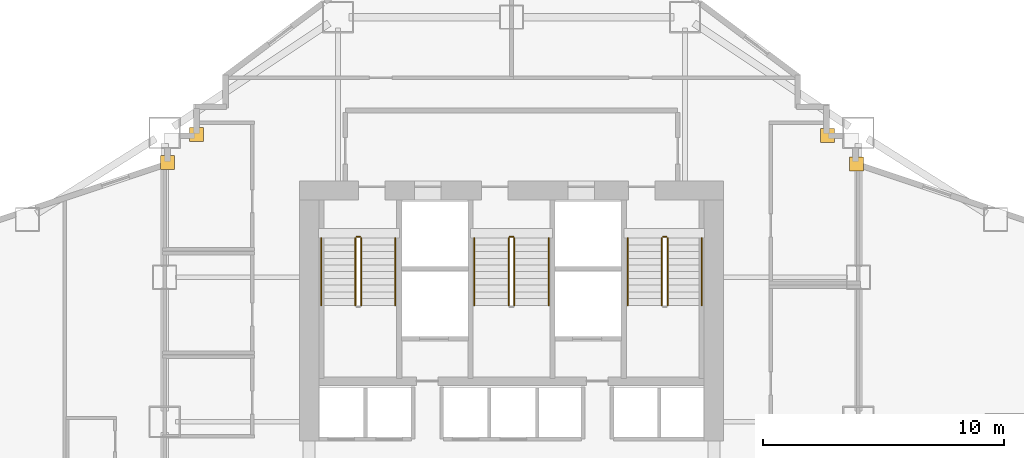
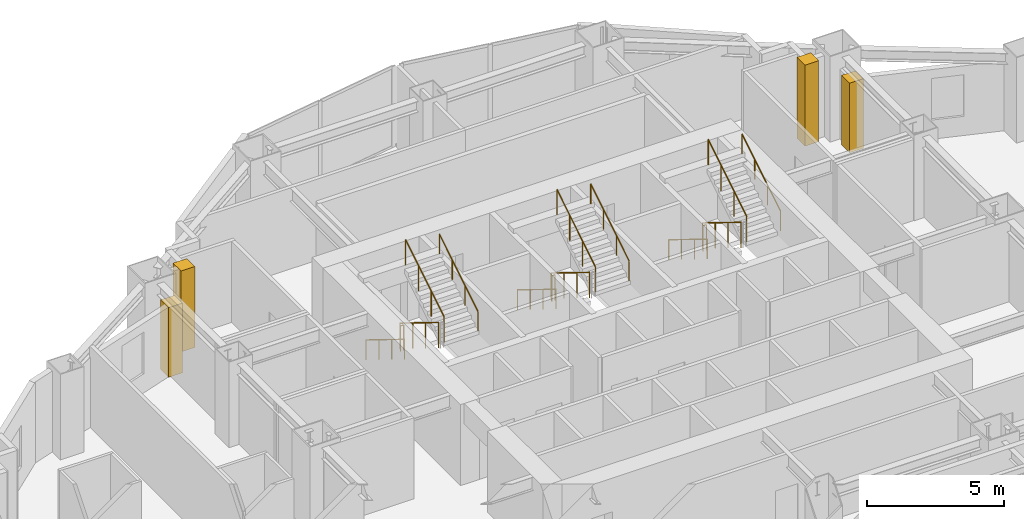
# One storey, part 16 of 17: 15 railings, 4 coverings.
"""IFC4 building model written with IfcOpenShell, lengths in metres."""

from ifc_helpers import new_model, si_unit, direction, frame, origin, origin_2d, place, context, subcontext, project, spatial, rectangle, circle, extrude, material, layer, layer_set, type_object, element, save


model = new_model("IFC4")

# Units and contexts
model_context = context("Model", 3, precision=1e-05, world=origin(), true_north=direction((0.0, 1.0)))
body_context = subcontext(model_context, "Body", "Model", "MODEL_VIEW")
ifc_project = project(units=[si_unit("LENGTHUNIT", "METRE"), si_unit("AREAUNIT", "SQUARE_METRE"), si_unit("VOLUMEUNIT", "CUBIC_METRE"), si_unit("PLANEANGLEUNIT", "RADIAN"), si_unit("MASSUNIT", "GRAM", prefix="KILO")], contexts=[model_context])

# Site, building, storey
site_placement = place(None, origin())
site = spatial("IfcSite", under=ifc_project, at=site_placement, CompositionType="ELEMENT")
building_placement = place(site_placement, origin())
building = spatial("IfcBuilding", under=site, at=building_placement, Name="Haolan Belvedere Tower", CompositionType="ELEMENT")
storey_placement = place(building_placement, frame((0.0, 0.0, 31.60009765625)))
storey = spatial("IfcBuildingStorey", under=building, at=storey_placement, Name="L07", CompositionType="ELEMENT", Elevation=31.60009765625)

# Coverings
ifc_material_1 = material(Name="Pale champagne-silver anodised aluminium rainscreen cladding", Category="aluminium")
ifc_layer = layer(ifc_material_1, 0.034912109375, Name="Pale champagne-silver anodised aluminium rainscreen cladding")
ifc_layer_set = layer_set([ifc_layer], Name="Pale champagne-silver anodised aluminium rainscreen cladding")
covering_type = type_object("IfcCoveringType", Name="COV-CLAD-35", PredefinedType="CLADDING", material=ifc_layer_set)
covering_1_placement = place(storey_placement, frame((52.72021484375, 44.300048828125, 0.0), z_axis=(0.0, 0.0, 1.0), x_axis=(1.0, 0.0, 0.0)))
element("IfcCovering", 1, at=covering_1_placement, inside=storey, type_object=covering_type, Name="L07 pale-metal serrated corner cladding trim 9", PredefinedType="CLADDING", context=body_context, shape_type="SweptSolid", body=[
    extrude(rectangle(XDim=0.580078125, YDim=0.580078125, at=origin_2d()), origin(), (0.0, 0.0, 1.0), 3.096923828125),
])
for number, where, z_axis, x_axis, name in (
    (2, (51.5224609375, 45.47998046875, -0.000244140625), (0.0, 0.0, 1.0), (1.0, 0.0, 0.0), "L07 pale-metal serrated corner cladding trim 10"),
    (3, (25.320068359375, 45.5224609375, -0.000244140625), (0.0, 0.0, 1.0), (1.0, 0.0, 0.0), "L07 pale-metal serrated corner cladding trim 11"),
):
    element("IfcCovering", number, at=place(storey_placement, frame(where, z_axis=z_axis, x_axis=x_axis)), inside=storey, type_object=covering_type, Name=name, PredefinedType="CLADDING", context=body_context, shape_type="SweptSolid", body=[
        extrude(rectangle(XDim=0.580078125, YDim=0.580078125, at=origin_2d()), origin(), (0.0, 0.0, 1.0), 3.60009765625),
    ])
covering_2_placement = place(storey_placement, frame((24.1201171875, 44.35595703125, 0.0), z_axis=(0.0, 0.0, 1.0), x_axis=(1.0, 0.0, 0.0)))
element("IfcCovering", 4, at=covering_2_placement, inside=storey, type_object=covering_type, Name="L07 pale-metal serrated corner cladding trim 12", PredefinedType="CLADDING", context=body_context, shape_type="SweptSolid", body=[
    extrude(rectangle(XDim=0.580078125, YDim=0.580078125, at=origin_2d()), origin(), (0.0, 0.0, 1.0), 3.096923828125),
])

# Railings
ifc_material_2 = material(Name="Brushed stainless steel 304", Category="steel")
railing_type_1 = type_object("IfcRailingType", Name="RL-STAIR-GRD-1150", PredefinedType="GUARDRAIL", material=ifc_material_2)
railing_1_placement = place(storey_placement, frame((31.919921875, 41.22998046875, 0.172607421875)))
element("IfcRailing", 5, at=railing_1_placement, inside=storey, type_object=railing_type_1, Name="L07 ST1 stair guard 1", PredefinedType="GUARDRAIL", context=body_context, shape_type="SweptSolid", body=[
    extrude(circle(Radius=0.02392578125, at=origin_2d()), frame((0.0, 0.0, 1.1259765625), z_axis=(0.0, -0.851089632645, 0.525020415988), x_axis=(1.0, 0.0, 0.0)), (0.0, 0.0, 1.0), 3.2900390625),
    extrude(circle(Radius=0.02099609375, at=origin_2d()), origin(), (0.0, 0.0, 1.0), 1.101806640625),
    extrude(circle(Radius=0.02099609375, at=origin_2d()), frame((0.0, -0.933349609375, 0.57568359375)), (0.0, 0.0, 1.0), 1.101806640625),
    extrude(circle(Radius=0.02099609375, at=origin_2d()), frame((0.0, -1.86669921875, 1.151611328125)), (0.0, 0.0, 1.0), 1.101806640625),
    extrude(circle(Radius=0.02099609375, at=origin_2d()), frame((0.0, -2.800048828125, 1.727294921875)), (0.0, 0.0, 1.0), 1.101806640625),
])
railing_2_placement = place(storey_placement, frame((32.159912109375, 38.429931640625, 2.072509765625)))
element("IfcRailing", 6, at=railing_2_placement, inside=storey, type_object=railing_type_1, Name="L07 ST1 stair guard 3", PredefinedType="GUARDRAIL", context=body_context, shape_type="SweptSolid", body=[
    extrude(circle(Radius=0.02392578125, at=origin_2d()), frame((0.0, 0.0, 1.1259765625), z_axis=(0.0, 0.851089632645, 0.525020415988), x_axis=(-1.0, 0.0, 0.0)), (0.0, 0.0, 1.0), 3.2900390625),
    extrude(circle(Radius=0.02099609375, at=origin_2d()), origin(), (0.0, 0.0, 1.0), 1.101806640625),
    extrude(circle(Radius=0.02099609375, at=origin_2d()), frame((0.0, 0.933349609375, 0.57568359375)), (0.0, 0.0, 1.0), 1.101806640625),
    extrude(circle(Radius=0.02099609375, at=origin_2d()), frame((0.0, 1.86669921875, 1.151611328125)), (0.0, 0.0, 1.0), 1.101806640625),
    extrude(circle(Radius=0.02099609375, at=origin_2d()), frame((0.0, 2.800048828125, 1.727294921875)), (0.0, 0.0, 1.0), 1.101806640625),
])
railing_3_placement = place(storey_placement, frame((31.969970703125, 41.280029296875, 0.0)))
element("IfcRailing", 7, at=railing_3_placement, inside=storey, type_object=railing_type_1, Name="L07 ST1 stair guard 4", PredefinedType="GUARDRAIL", context=body_context, shape_type="SweptSolid", body=[
    extrude(circle(Radius=0.02392578125, at=origin_2d()), frame((0.0, 0.0, 1.1259765625), z_axis=(1.0, 0.0, 0.0), x_axis=(0.0, 1.0, 0.0)), (0.0, 0.0, 1.0), 0.14013671875),
    extrude(circle(Radius=0.02099609375, at=origin_2d()), origin(), (0.0, 0.0, 1.0), 1.101806640625),
    extrude(circle(Radius=0.02099609375, at=origin_2d()), frame((0.14013671875, 0.0, 0.0)), (0.0, 0.0, 1.0), 1.101806640625),
])
railing_4_placement = place(storey_placement, frame((38.280029296875, 41.22998046875, 0.172607421875)))
element("IfcRailing", 8, at=railing_4_placement, inside=storey, type_object=railing_type_1, Name="L07 ST3 stair guard 1", PredefinedType="GUARDRAIL", context=body_context, shape_type="SweptSolid", body=[
    extrude(circle(Radius=0.02392578125, at=origin_2d()), frame((0.0, 0.0, 1.1259765625), z_axis=(0.0, -0.851089632645, 0.525020415988), x_axis=(1.0, 0.0, 0.0)), (0.0, 0.0, 1.0), 3.2900390625),
    extrude(circle(Radius=0.02099609375, at=origin_2d()), origin(), (0.0, 0.0, 1.0), 1.101806640625),
    extrude(circle(Radius=0.02099609375, at=origin_2d()), frame((0.0, -0.933349609375, 0.57568359375)), (0.0, 0.0, 1.0), 1.101806640625),
    extrude(circle(Radius=0.02099609375, at=origin_2d()), frame((0.0, -1.86669921875, 1.151611328125)), (0.0, 0.0, 1.0), 1.101806640625),
    extrude(circle(Radius=0.02099609375, at=origin_2d()), frame((0.0, -2.800048828125, 1.727294921875)), (0.0, 0.0, 1.0), 1.101806640625),
])
railing_5_placement = place(storey_placement, frame((38.52001953125, 38.429931640625, 2.072509765625)))
element("IfcRailing", 9, at=railing_5_placement, inside=storey, type_object=railing_type_1, Name="L07 ST3 stair guard 3", PredefinedType="GUARDRAIL", context=body_context, shape_type="SweptSolid", body=[
    extrude(circle(Radius=0.02392578125, at=origin_2d()), frame((0.0, 0.0, 1.1259765625), z_axis=(0.0, 0.851089632645, 0.525020415988), x_axis=(-1.0, 0.0, 0.0)), (0.0, 0.0, 1.0), 3.2900390625),
    extrude(circle(Radius=0.02099609375, at=origin_2d()), origin(), (0.0, 0.0, 1.0), 1.101806640625),
    extrude(circle(Radius=0.02099609375, at=origin_2d()), frame((0.0, 0.933349609375, 0.57568359375)), (0.0, 0.0, 1.0), 1.101806640625),
    extrude(circle(Radius=0.02099609375, at=origin_2d()), frame((0.0, 1.86669921875, 1.151611328125)), (0.0, 0.0, 1.0), 1.101806640625),
    extrude(circle(Radius=0.02099609375, at=origin_2d()), frame((0.0, 2.800048828125, 1.727294921875)), (0.0, 0.0, 1.0), 1.101806640625),
])
railing_6_placement = place(storey_placement, frame((38.330078125, 41.280029296875, 0.0)))
element("IfcRailing", 10, at=railing_6_placement, inside=storey, type_object=railing_type_1, Name="L07 ST3 stair guard 4", PredefinedType="GUARDRAIL", context=body_context, shape_type="SweptSolid", body=[
    extrude(circle(Radius=0.02392578125, at=origin_2d()), frame((0.0, 0.0, 1.1259765625), z_axis=(1.0, 0.0, 0.0), x_axis=(0.0, 1.0, 0.0)), (0.0, 0.0, 1.0), 0.139892578125),
    extrude(circle(Radius=0.02099609375, at=origin_2d()), origin(), (0.0, 0.0, 1.0), 1.101806640625),
    extrude(circle(Radius=0.02099609375, at=origin_2d()), frame((0.139892578125, 0.0, 0.0)), (0.0, 0.0, 1.0), 1.101806640625),
])
railing_7_placement = place(storey_placement, frame((44.639892578125, 41.22998046875, 0.172607421875)))
element("IfcRailing", 11, at=railing_7_placement, inside=storey, type_object=railing_type_1, Name="L07 ST2 stair guard 1", PredefinedType="GUARDRAIL", context=body_context, shape_type="SweptSolid", body=[
    extrude(circle(Radius=0.02392578125, at=origin_2d()), frame((0.0, 0.0, 1.1259765625), z_axis=(0.0, -0.851089632645, 0.525020415988), x_axis=(1.0, 0.0, 0.0)), (0.0, 0.0, 1.0), 3.2900390625),
    extrude(circle(Radius=0.02099609375, at=origin_2d()), origin(), (0.0, 0.0, 1.0), 1.101806640625),
    extrude(circle(Radius=0.02099609375, at=origin_2d()), frame((0.0, -0.933349609375, 0.57568359375)), (0.0, 0.0, 1.0), 1.101806640625),
    extrude(circle(Radius=0.02099609375, at=origin_2d()), frame((0.0, -1.86669921875, 1.151611328125)), (0.0, 0.0, 1.0), 1.101806640625),
    extrude(circle(Radius=0.02099609375, at=origin_2d()), frame((0.0, -2.800048828125, 1.727294921875)), (0.0, 0.0, 1.0), 1.101806640625),
])
railing_8_placement = place(storey_placement, frame((44.8798828125, 38.429931640625, 2.072509765625)))
element("IfcRailing", 12, at=railing_8_placement, inside=storey, type_object=railing_type_1, Name="L07 ST2 stair guard 3", PredefinedType="GUARDRAIL", context=body_context, shape_type="SweptSolid", body=[
    extrude(circle(Radius=0.02392578125, at=origin_2d()), frame((0.0, 0.0, 1.1259765625), z_axis=(0.0, 0.851089632645, 0.525020415988), x_axis=(-1.0, 0.0, 0.0)), (0.0, 0.0, 1.0), 3.2900390625),
    extrude(circle(Radius=0.02099609375, at=origin_2d()), origin(), (0.0, 0.0, 1.0), 1.101806640625),
    extrude(circle(Radius=0.02099609375, at=origin_2d()), frame((0.0, 0.933349609375, 0.57568359375)), (0.0, 0.0, 1.0), 1.101806640625),
    extrude(circle(Radius=0.02099609375, at=origin_2d()), frame((0.0, 1.86669921875, 1.151611328125)), (0.0, 0.0, 1.0), 1.101806640625),
    extrude(circle(Radius=0.02099609375, at=origin_2d()), frame((0.0, 2.800048828125, 1.727294921875)), (0.0, 0.0, 1.0), 1.101806640625),
])
railing_9_placement = place(storey_placement, frame((44.68994140625, 41.280029296875, 0.0)))
element("IfcRailing", 13, at=railing_9_placement, inside=storey, type_object=railing_type_1, Name="L07 ST2 stair guard 4", PredefinedType="GUARDRAIL", context=body_context, shape_type="SweptSolid", body=[
    extrude(circle(Radius=0.02392578125, at=origin_2d()), frame((0.0, 0.0, 1.1259765625), z_axis=(1.0, 0.0, 0.0), x_axis=(0.0, 1.0, 0.0)), (0.0, 0.0, 1.0), 0.14013671875),
    extrude(circle(Radius=0.02099609375, at=origin_2d()), origin(), (0.0, 0.0, 1.0), 1.101806640625),
    extrude(circle(Radius=0.02099609375, at=origin_2d()), frame((0.14013671875, 0.0, 0.0)), (0.0, 0.0, 1.0), 1.101806640625),
])
railing_type_2 = type_object("IfcRailingType", Name="RL-STAIR-HND-900", PredefinedType="HANDRAIL", material=ifc_material_2)
railing_10_placement = place(storey_placement, frame((30.5, 41.22998046875, 0.172607421875)))
element("IfcRailing", 14, at=railing_10_placement, inside=storey, type_object=railing_type_2, Name="L07 ST1 stair handrail 1", PredefinedType="HANDRAIL", context=body_context, shape_type="SweptSolid", body=[
    extrude(circle(Radius=0.02392578125, at=origin_2d()), frame((0.0, 0.0, 0.8759765625), z_axis=(0.0, -0.851089632645, 0.525020415988), x_axis=(1.0, 0.0, 0.0)), (0.0, 0.0, 1.0), 3.2900390625),
    extrude(circle(Radius=0.02099609375, at=origin_2d()), origin(), (0.0, 0.0, 1.0), 0.851806640625),
    extrude(circle(Radius=0.02099609375, at=origin_2d()), frame((0.0, -0.933349609375, 0.57568359375)), (0.0, 0.0, 1.0), 0.851806640625),
    extrude(circle(Radius=0.02099609375, at=origin_2d()), frame((0.0, -1.86669921875, 1.151611328125)), (0.0, 0.0, 1.0), 0.851806640625),
    extrude(circle(Radius=0.02099609375, at=origin_2d()), frame((0.0, -2.800048828125, 1.727294921875)), (0.0, 0.0, 1.0), 0.851806640625),
])
railing_11_placement = place(storey_placement, frame((33.580078125, 38.429931640625, 2.072509765625)))
element("IfcRailing", 15, at=railing_11_placement, inside=storey, type_object=railing_type_2, Name="L07 ST1 stair handrail 2", PredefinedType="HANDRAIL", context=body_context, shape_type="SweptSolid", body=[
    extrude(circle(Radius=0.02392578125, at=origin_2d()), frame((0.0, 0.0, 0.8759765625), z_axis=(0.0, 0.851089632645, 0.525020415988), x_axis=(-1.0, 0.0, 0.0)), (0.0, 0.0, 1.0), 3.2900390625),
    extrude(circle(Radius=0.02099609375, at=origin_2d()), origin(), (0.0, 0.0, 1.0), 0.851806640625),
    extrude(circle(Radius=0.02099609375, at=origin_2d()), frame((0.0, 0.933349609375, 0.57568359375)), (0.0, 0.0, 1.0), 0.851806640625),
    extrude(circle(Radius=0.02099609375, at=origin_2d()), frame((0.0, 1.86669921875, 1.151611328125)), (0.0, 0.0, 1.0), 0.851806640625),
    extrude(circle(Radius=0.02099609375, at=origin_2d()), frame((0.0, 2.800048828125, 1.727294921875)), (0.0, 0.0, 1.0), 0.851806640625),
])
railing_12_placement = place(storey_placement, frame((36.860107421875, 41.22998046875, 0.172607421875)))
element("IfcRailing", 16, at=railing_12_placement, inside=storey, type_object=railing_type_2, Name="L07 ST3 stair handrail 1", PredefinedType="HANDRAIL", context=body_context, shape_type="SweptSolid", body=[
    extrude(circle(Radius=0.02392578125, at=origin_2d()), frame((0.0, 0.0, 0.8759765625), z_axis=(0.0, -0.851089632645, 0.525020415988), x_axis=(1.0, 0.0, 0.0)), (0.0, 0.0, 1.0), 3.2900390625),
    extrude(circle(Radius=0.02099609375, at=origin_2d()), origin(), (0.0, 0.0, 1.0), 0.851806640625),
    extrude(circle(Radius=0.02099609375, at=origin_2d()), frame((0.0, -0.933349609375, 0.57568359375)), (0.0, 0.0, 1.0), 0.851806640625),
    extrude(circle(Radius=0.02099609375, at=origin_2d()), frame((0.0, -1.86669921875, 1.151611328125)), (0.0, 0.0, 1.0), 0.851806640625),
    extrude(circle(Radius=0.02099609375, at=origin_2d()), frame((0.0, -2.800048828125, 1.727294921875)), (0.0, 0.0, 1.0), 0.851806640625),
])
railing_13_placement = place(storey_placement, frame((39.93994140625, 38.429931640625, 2.072509765625)))
element("IfcRailing", 17, at=railing_13_placement, inside=storey, type_object=railing_type_2, Name="L07 ST3 stair handrail 2", PredefinedType="HANDRAIL", context=body_context, shape_type="SweptSolid", body=[
    extrude(circle(Radius=0.02392578125, at=origin_2d()), frame((0.0, 0.0, 0.8759765625), z_axis=(0.0, 0.851089632645, 0.525020415988), x_axis=(-1.0, 0.0, 0.0)), (0.0, 0.0, 1.0), 3.2900390625),
    extrude(circle(Radius=0.02099609375, at=origin_2d()), origin(), (0.0, 0.0, 1.0), 0.851806640625),
    extrude(circle(Radius=0.02099609375, at=origin_2d()), frame((0.0, 0.933349609375, 0.57568359375)), (0.0, 0.0, 1.0), 0.851806640625),
    extrude(circle(Radius=0.02099609375, at=origin_2d()), frame((0.0, 1.86669921875, 1.151611328125)), (0.0, 0.0, 1.0), 0.851806640625),
    extrude(circle(Radius=0.02099609375, at=origin_2d()), frame((0.0, 2.800048828125, 1.727294921875)), (0.0, 0.0, 1.0), 0.851806640625),
])
railing_14_placement = place(storey_placement, frame((43.219970703125, 41.22998046875, 0.172607421875)))
element("IfcRailing", 18, at=railing_14_placement, inside=storey, type_object=railing_type_2, Name="L07 ST2 stair handrail 1", PredefinedType="HANDRAIL", context=body_context, shape_type="SweptSolid", body=[
    extrude(circle(Radius=0.02392578125, at=origin_2d()), frame((0.0, 0.0, 0.8759765625), z_axis=(0.0, -0.851089632645, 0.525020415988), x_axis=(1.0, 0.0, 0.0)), (0.0, 0.0, 1.0), 3.2900390625),
    extrude(circle(Radius=0.02099609375, at=origin_2d()), origin(), (0.0, 0.0, 1.0), 0.851806640625),
    extrude(circle(Radius=0.02099609375, at=origin_2d()), frame((0.0, -0.933349609375, 0.57568359375)), (0.0, 0.0, 1.0), 0.851806640625),
    extrude(circle(Radius=0.02099609375, at=origin_2d()), frame((0.0, -1.86669921875, 1.151611328125)), (0.0, 0.0, 1.0), 0.851806640625),
    extrude(circle(Radius=0.02099609375, at=origin_2d()), frame((0.0, -2.800048828125, 1.727294921875)), (0.0, 0.0, 1.0), 0.851806640625),
])
railing_15_placement = place(storey_placement, frame((46.300048828125, 38.429931640625, 2.072509765625)))
element("IfcRailing", 19, at=railing_15_placement, inside=storey, type_object=railing_type_2, Name="L07 ST2 stair handrail 2", PredefinedType="HANDRAIL", context=body_context, shape_type="SweptSolid", body=[
    extrude(circle(Radius=0.02392578125, at=origin_2d()), frame((0.0, 0.0, 0.8759765625), z_axis=(0.0, 0.851089632645, 0.525020415988), x_axis=(-1.0, 0.0, 0.0)), (0.0, 0.0, 1.0), 3.2900390625),
    extrude(circle(Radius=0.02099609375, at=origin_2d()), origin(), (0.0, 0.0, 1.0), 0.851806640625),
    extrude(circle(Radius=0.02099609375, at=origin_2d()), frame((0.0, 0.933349609375, 0.57568359375)), (0.0, 0.0, 1.0), 0.851806640625),
    extrude(circle(Radius=0.02099609375, at=origin_2d()), frame((0.0, 1.86669921875, 1.151611328125)), (0.0, 0.0, 1.0), 0.851806640625),
    extrude(circle(Radius=0.02099609375, at=origin_2d()), frame((0.0, 2.800048828125, 1.727294921875)), (0.0, 0.0, 1.0), 0.851806640625),
])

save(model, "model.ifc")
